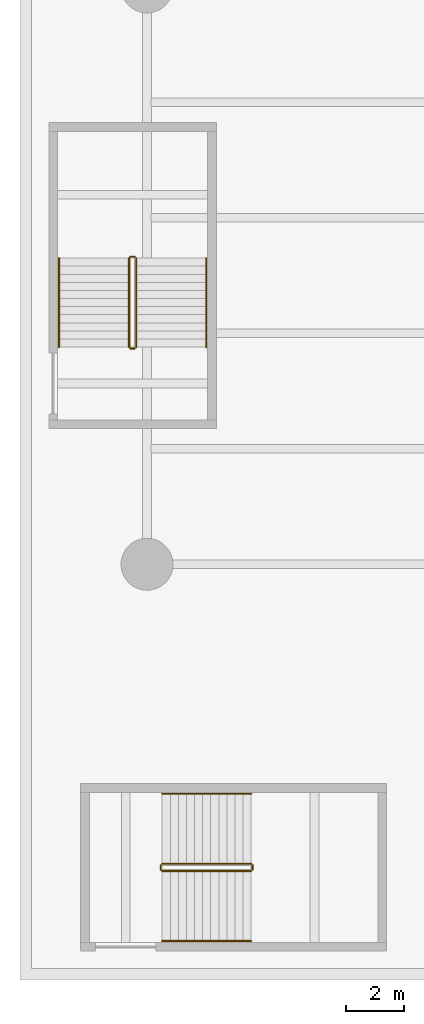
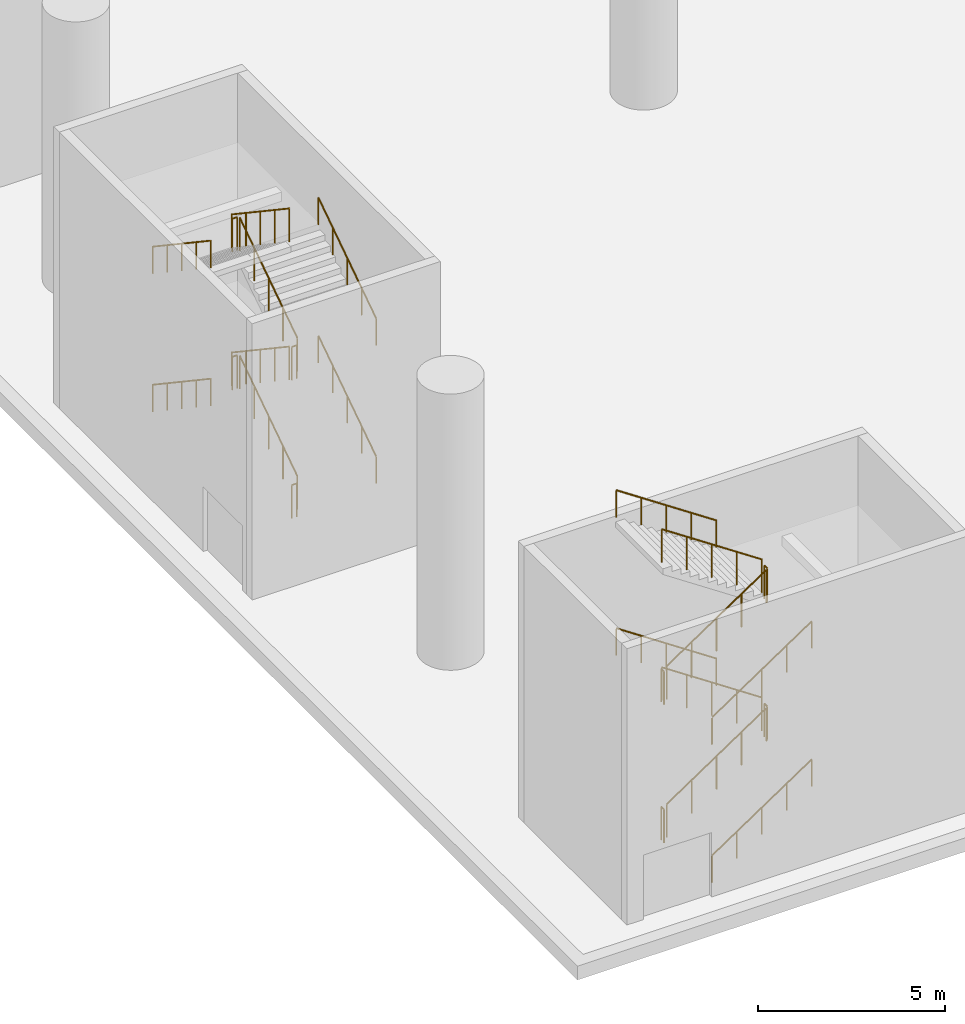
# One storey, part 27 of 37: 24 railings.
"""IFC4 building model written with IfcOpenShell, lengths in metres."""

from ifc_helpers import new_model, si_unit, direction, frame, origin, origin_2d, place, context, subcontext, project, spatial, circle, extrude, material, type_object, element, save


model = new_model("IFC4")

# Units and contexts
model_context = context("Model", 3, precision=1e-05, world=origin(), true_north=direction((0.0, 1.0)))
body_context = subcontext(model_context, "Body", "Model", "MODEL_VIEW")
ifc_project = project(units=[si_unit("LENGTHUNIT", "METRE"), si_unit("AREAUNIT", "SQUARE_METRE"), si_unit("VOLUMEUNIT", "CUBIC_METRE"), si_unit("PLANEANGLEUNIT", "RADIAN"), si_unit("MASSUNIT", "GRAM", prefix="KILO")], contexts=[model_context])

# Site, building, storey
site_placement = place(None, origin())
site = spatial("IfcSite", under=ifc_project, at=site_placement, CompositionType="ELEMENT")
building_placement = place(site_placement, origin())
building = spatial("IfcBuilding", under=site, at=building_placement, Name="Tel Ilan Convention Tower", CompositionType="ELEMENT")
storey_placement = place(building_placement, origin())
storey = spatial("IfcBuildingStorey", under=building, at=storey_placement, Name="L00", CompositionType="ELEMENT", Elevation=0.0)

# Railings
ifc_material_1 = material(Name="Stainless Steel Grade 316", Category="steel")
railing_type_1 = type_object("IfcRailingType", Name="Stainless Steel Stair Guard 1100 mm", PredefinedType="GUARDRAIL", material=ifc_material_1)
railing_1_placement = place(storey_placement, frame((-45.47509765625, -78.625, 0.1875)))
element("IfcRailing", 1, at=railing_1_placement, inside=storey, type_object=railing_type_1, Name="L00 P1 stair guard 1", PredefinedType="GUARDRAIL", context=body_context, shape_type="SweptSolid", body=[
    extrude(circle(Radius=0.02392578125, at=origin_2d()), frame((0.0, 0.0, 1.076171875), z_axis=(0.830913701846, 0.0, 0.55640131208), x_axis=(0.0, 1.0, 0.0)), (0.0, 0.0, 1.0), 3.706787109375),
    extrude(circle(Radius=0.02099609375, at=origin_2d()), origin(), (0.0, 0.0, 1.0), 1.052001953125),
    extrude(circle(Radius=0.02099609375, at=origin_2d()), frame((0.77001953125, 0.0, 0.515625)), (0.0, 0.0, 1.0), 1.052001953125),
    extrude(circle(Radius=0.02099609375, at=origin_2d()), frame((1.5400390625, 0.0, 1.03125)), (0.0, 0.0, 1.0), 1.052001953125),
    extrude(circle(Radius=0.02099609375, at=origin_2d()), frame((2.31005859375, 0.0, 1.546875)), (0.0, 0.0, 1.0), 1.052001953125),
    extrude(circle(Radius=0.02099609375, at=origin_2d()), frame((3.080078125, 0.0, 2.0625)), (0.0, 0.0, 1.0), 1.052001953125),
])
railing_2_placement = place(storey_placement, frame((-42.344970703125, -78.574951171875, 2.25)))
element("IfcRailing", 2, at=railing_2_placement, inside=storey, type_object=railing_type_1, Name="L00 P1 stair guard 2", PredefinedType="GUARDRAIL", context=body_context, shape_type="SweptSolid", body=[
    extrude(circle(Radius=0.02392578125, at=origin_2d()), frame((0.0, 0.0, 1.076171875), z_axis=(0.0, 1.0, 0.0), x_axis=(-1.0, 0.0, 0.0)), (0.0, 0.0, 1.0), 0.14990234375),
    extrude(circle(Radius=0.02099609375, at=origin_2d()), origin(), (0.0, 0.0, 1.0), 1.052001953125),
    extrude(circle(Radius=0.02099609375, at=origin_2d()), frame((0.0, 0.14990234375, 0.0)), (0.0, 0.0, 1.0), 1.052001953125),
])
railing_3_placement = place(storey_placement, frame((-42.39501953125, -78.375, 2.4375)))
element("IfcRailing", 3, at=railing_3_placement, inside=storey, type_object=railing_type_1, Name="L00 P1 stair guard 3", PredefinedType="GUARDRAIL", context=body_context, shape_type="SweptSolid", body=[
    extrude(circle(Radius=0.02392578125, at=origin_2d()), frame((0.0, 0.0, 1.076171875), z_axis=(-0.830913701846, 0.0, 0.55640131208), x_axis=(0.0, -1.0, 0.0)), (0.0, 0.0, 1.0), 3.706787109375),
    extrude(circle(Radius=0.02099609375, at=origin_2d()), origin(), (0.0, 0.0, 1.0), 1.052001953125),
    extrude(circle(Radius=0.02099609375, at=origin_2d()), frame((-0.77001953125, 0.0, 0.515625)), (0.0, 0.0, 1.0), 1.052001953125),
    extrude(circle(Radius=0.02099609375, at=origin_2d()), frame((-1.5400390625, 0.0, 1.03125)), (0.0, 0.0, 1.0), 1.052001953125),
    extrude(circle(Radius=0.02099609375, at=origin_2d()), frame((-2.31005859375, 0.0, 1.546875)), (0.0, 0.0, 1.0), 1.052001953125),
    extrude(circle(Radius=0.02099609375, at=origin_2d()), frame((-3.080078125, 0.0, 2.0625)), (0.0, 0.0, 1.0), 1.052001953125),
])
railing_4_placement = place(storey_placement, frame((-45.52490234375, -78.574951171875, 4.5)))
element("IfcRailing", 4, at=railing_4_placement, inside=storey, type_object=railing_type_1, Name="L00 P1 stair guard 4", PredefinedType="GUARDRAIL", context=body_context, shape_type="SweptSolid", body=[
    extrude(circle(Radius=0.02392578125, at=origin_2d()), frame((0.0, 0.0, 1.076171875), z_axis=(0.0, 1.0, 0.0), x_axis=(-1.0, 0.0, 0.0)), (0.0, 0.0, 1.0), 0.14990234375),
    extrude(circle(Radius=0.02099609375, at=origin_2d()), origin(), (0.0, 0.0, 1.0), 1.052001953125),
    extrude(circle(Radius=0.02099609375, at=origin_2d()), frame((0.0, 0.14990234375, 0.0)), (0.0, 0.0, 1.0), 1.052001953125),
])
railing_5_placement = place(storey_placement, frame((-45.47509765625, -78.625, 4.6875)))
element("IfcRailing", 5, at=railing_5_placement, inside=storey, type_object=railing_type_1, Name="L00 P1 stair guard 5", PredefinedType="GUARDRAIL", context=body_context, shape_type="SweptSolid", body=[
    extrude(circle(Radius=0.02392578125, at=origin_2d()), frame((0.0, 0.0, 1.076171875), z_axis=(0.830913701846, 0.0, 0.55640131208), x_axis=(0.0, 1.0, 0.0)), (0.0, 0.0, 1.0), 3.706787109375),
    extrude(circle(Radius=0.02099609375, at=origin_2d()), origin(), (0.0, 0.0, 1.0), 1.052001953125),
    extrude(circle(Radius=0.02099609375, at=origin_2d()), frame((0.77001953125, 0.0, 0.515625)), (0.0, 0.0, 1.0), 1.052001953125),
    extrude(circle(Radius=0.02099609375, at=origin_2d()), frame((1.5400390625, 0.0, 1.03125)), (0.0, 0.0, 1.0), 1.052001953125),
    extrude(circle(Radius=0.02099609375, at=origin_2d()), frame((2.31005859375, 0.0, 1.546875)), (0.0, 0.0, 1.0), 1.052001953125),
    extrude(circle(Radius=0.02099609375, at=origin_2d()), frame((3.080078125, 0.0, 2.0625)), (0.0, 0.0, 1.0), 1.052001953125),
])
railing_6_placement = place(storey_placement, frame((-42.344970703125, -78.574951171875, 6.75)))
element("IfcRailing", 6, at=railing_6_placement, inside=storey, type_object=railing_type_1, Name="L00 P1 stair guard 6", PredefinedType="GUARDRAIL", context=body_context, shape_type="SweptSolid", body=[
    extrude(circle(Radius=0.02392578125, at=origin_2d()), frame((0.0, 0.0, 1.076171875), z_axis=(0.0, 1.0, 0.0), x_axis=(-1.0, 0.0, 0.0)), (0.0, 0.0, 1.0), 0.14990234375),
    extrude(circle(Radius=0.02099609375, at=origin_2d()), origin(), (0.0, 0.0, 1.0), 1.052001953125),
    extrude(circle(Radius=0.02099609375, at=origin_2d()), frame((0.0, 0.14990234375, 0.0)), (0.0, 0.0, 1.0), 1.052001953125),
])
railing_7_placement = place(storey_placement, frame((-42.39501953125, -78.375, 6.9375)))
element("IfcRailing", 7, at=railing_7_placement, inside=storey, type_object=railing_type_1, Name="L00 P1 stair guard 7", PredefinedType="GUARDRAIL", context=body_context, shape_type="SweptSolid", body=[
    extrude(circle(Radius=0.02392578125, at=origin_2d()), frame((0.0, 0.0, 1.076171875), z_axis=(-0.830913701846, 0.0, 0.55640131208), x_axis=(0.0, -1.0, 0.0)), (0.0, 0.0, 1.0), 3.706787109375),
    extrude(circle(Radius=0.02099609375, at=origin_2d()), origin(), (0.0, 0.0, 1.0), 1.052001953125),
    extrude(circle(Radius=0.02099609375, at=origin_2d()), frame((-0.77001953125, 0.0, 0.515625)), (0.0, 0.0, 1.0), 1.052001953125),
    extrude(circle(Radius=0.02099609375, at=origin_2d()), frame((-1.5400390625, 0.0, 1.03125)), (0.0, 0.0, 1.0), 1.052001953125),
    extrude(circle(Radius=0.02099609375, at=origin_2d()), frame((-2.31005859375, 0.0, 1.546875)), (0.0, 0.0, 1.0), 1.052001953125),
    extrude(circle(Radius=0.02099609375, at=origin_2d()), frame((-3.080078125, 0.0, 2.0625)), (0.0, 0.0, 1.0), 1.052001953125),
])
railing_8_placement = place(storey_placement, frame((-45.52490234375, -78.574951171875, 0.0)))
element("IfcRailing", 8, at=railing_8_placement, inside=storey, type_object=railing_type_1, Name="L00 P1 stair guard 8", PredefinedType="GUARDRAIL", context=body_context, shape_type="SweptSolid", body=[
    extrude(circle(Radius=0.02392578125, at=origin_2d()), frame((0.0, 0.0, 1.076171875), z_axis=(0.0, 1.0, 0.0), x_axis=(-1.0, 0.0, 0.0)), (0.0, 0.0, 1.0), 0.14990234375),
    extrude(circle(Radius=0.02099609375, at=origin_2d()), origin(), (0.0, 0.0, 1.0), 1.052001953125),
    extrude(circle(Radius=0.02099609375, at=origin_2d()), frame((0.0, 0.14990234375, 0.0)), (0.0, 0.0, 1.0), 1.052001953125),
])
railing_9_placement = place(storey_placement, frame((-46.375, -60.47509765625, 0.1875)))
element("IfcRailing", 9, at=railing_9_placement, inside=storey, type_object=railing_type_1, Name="L00 P5 stair guard 1", PredefinedType="GUARDRAIL", context=body_context, shape_type="SweptSolid", body=[
    extrude(circle(Radius=0.02392578125, at=origin_2d()), frame((0.0, 0.0, 1.076171875), z_axis=(0.0, 0.830913701846, 0.55640131208), x_axis=(-1.0, 0.0, 0.0)), (0.0, 0.0, 1.0), 3.706787109375),
    extrude(circle(Radius=0.02099609375, at=origin_2d()), origin(), (0.0, 0.0, 1.0), 1.052001953125),
    extrude(circle(Radius=0.02099609375, at=origin_2d()), frame((0.0, 0.77001953125, 0.515625)), (0.0, 0.0, 1.0), 1.052001953125),
    extrude(circle(Radius=0.02099609375, at=origin_2d()), frame((0.0, 1.5400390625, 1.03125)), (0.0, 0.0, 1.0), 1.052001953125),
    extrude(circle(Radius=0.02099609375, at=origin_2d()), frame((0.0, 2.31005859375, 1.546875)), (0.0, 0.0, 1.0), 1.052001953125),
    extrude(circle(Radius=0.02099609375, at=origin_2d()), frame((0.0, 3.080078125, 2.0625)), (0.0, 0.0, 1.0), 1.052001953125),
])
railing_10_placement = place(storey_placement, frame((-46.425048828125, -57.344970703125, 2.25)))
element("IfcRailing", 10, at=railing_10_placement, inside=storey, type_object=railing_type_1, Name="L00 P5 stair guard 2", PredefinedType="GUARDRAIL", context=body_context, shape_type="SweptSolid", body=[
    extrude(circle(Radius=0.02392578125, at=origin_2d()), frame((0.0, 0.0, 1.076171875), z_axis=(-1.0, 0.0, 0.0), x_axis=(0.0, -1.0, 0.0)), (0.0, 0.0, 1.0), 0.14990234375),
    extrude(circle(Radius=0.02099609375, at=origin_2d()), origin(), (0.0, 0.0, 1.0), 1.052001953125),
    extrude(circle(Radius=0.02099609375, at=origin_2d()), frame((-0.14990234375, 0.0, 0.0)), (0.0, 0.0, 1.0), 1.052001953125),
])
railing_11_placement = place(storey_placement, frame((-46.625, -57.39501953125, 2.4375)))
element("IfcRailing", 11, at=railing_11_placement, inside=storey, type_object=railing_type_1, Name="L00 P5 stair guard 3", PredefinedType="GUARDRAIL", context=body_context, shape_type="SweptSolid", body=[
    extrude(circle(Radius=0.02392578125, at=origin_2d()), frame((0.0, 0.0, 1.076171875), z_axis=(0.0, -0.830913701846, 0.55640131208), x_axis=(1.0, 0.0, 0.0)), (0.0, 0.0, 1.0), 3.706787109375),
    extrude(circle(Radius=0.02099609375, at=origin_2d()), origin(), (0.0, 0.0, 1.0), 1.052001953125),
    extrude(circle(Radius=0.02099609375, at=origin_2d()), frame((0.0, -0.77001953125, 0.515625)), (0.0, 0.0, 1.0), 1.052001953125),
    extrude(circle(Radius=0.02099609375, at=origin_2d()), frame((0.0, -1.5400390625, 1.03125)), (0.0, 0.0, 1.0), 1.052001953125),
    extrude(circle(Radius=0.02099609375, at=origin_2d()), frame((0.0, -2.31005859375, 1.546875)), (0.0, 0.0, 1.0), 1.052001953125),
    extrude(circle(Radius=0.02099609375, at=origin_2d()), frame((0.0, -3.080078125, 2.0625)), (0.0, 0.0, 1.0), 1.052001953125),
])
railing_12_placement = place(storey_placement, frame((-46.425048828125, -60.52490234375, 4.5)))
element("IfcRailing", 12, at=railing_12_placement, inside=storey, type_object=railing_type_1, Name="L00 P5 stair guard 4", PredefinedType="GUARDRAIL", context=body_context, shape_type="SweptSolid", body=[
    extrude(circle(Radius=0.02392578125, at=origin_2d()), frame((0.0, 0.0, 1.076171875), z_axis=(-1.0, 0.0, 0.0), x_axis=(0.0, -1.0, 0.0)), (0.0, 0.0, 1.0), 0.14990234375),
    extrude(circle(Radius=0.02099609375, at=origin_2d()), origin(), (0.0, 0.0, 1.0), 1.052001953125),
    extrude(circle(Radius=0.02099609375, at=origin_2d()), frame((-0.14990234375, 0.0, 0.0)), (0.0, 0.0, 1.0), 1.052001953125),
])
railing_13_placement = place(storey_placement, frame((-46.375, -60.47509765625, 4.6875)))
element("IfcRailing", 13, at=railing_13_placement, inside=storey, type_object=railing_type_1, Name="L00 P5 stair guard 5", PredefinedType="GUARDRAIL", context=body_context, shape_type="SweptSolid", body=[
    extrude(circle(Radius=0.02392578125, at=origin_2d()), frame((0.0, 0.0, 1.076171875), z_axis=(0.0, 0.830913701846, 0.55640131208), x_axis=(-1.0, 0.0, 0.0)), (0.0, 0.0, 1.0), 3.706787109375),
    extrude(circle(Radius=0.02099609375, at=origin_2d()), origin(), (0.0, 0.0, 1.0), 1.052001953125),
    extrude(circle(Radius=0.02099609375, at=origin_2d()), frame((0.0, 0.77001953125, 0.515625)), (0.0, 0.0, 1.0), 1.052001953125),
    extrude(circle(Radius=0.02099609375, at=origin_2d()), frame((0.0, 1.5400390625, 1.03125)), (0.0, 0.0, 1.0), 1.052001953125),
    extrude(circle(Radius=0.02099609375, at=origin_2d()), frame((0.0, 2.31005859375, 1.546875)), (0.0, 0.0, 1.0), 1.052001953125),
    extrude(circle(Radius=0.02099609375, at=origin_2d()), frame((0.0, 3.080078125, 2.0625)), (0.0, 0.0, 1.0), 1.052001953125),
])
railing_14_placement = place(storey_placement, frame((-46.425048828125, -57.344970703125, 6.75)))
element("IfcRailing", 14, at=railing_14_placement, inside=storey, type_object=railing_type_1, Name="L00 P5 stair guard 6", PredefinedType="GUARDRAIL", context=body_context, shape_type="SweptSolid", body=[
    extrude(circle(Radius=0.02392578125, at=origin_2d()), frame((0.0, 0.0, 1.076171875), z_axis=(-1.0, 0.0, 0.0), x_axis=(0.0, -1.0, 0.0)), (0.0, 0.0, 1.0), 0.14990234375),
    extrude(circle(Radius=0.02099609375, at=origin_2d()), origin(), (0.0, 0.0, 1.0), 1.052001953125),
    extrude(circle(Radius=0.02099609375, at=origin_2d()), frame((-0.14990234375, 0.0, 0.0)), (0.0, 0.0, 1.0), 1.052001953125),
])
railing_15_placement = place(storey_placement, frame((-46.625, -57.39501953125, 6.9375)))
element("IfcRailing", 15, at=railing_15_placement, inside=storey, type_object=railing_type_1, Name="L00 P5 stair guard 7", PredefinedType="GUARDRAIL", context=body_context, shape_type="SweptSolid", body=[
    extrude(circle(Radius=0.02392578125, at=origin_2d()), frame((0.0, 0.0, 1.076171875), z_axis=(0.0, -0.830913701846, 0.55640131208), x_axis=(1.0, 0.0, 0.0)), (0.0, 0.0, 1.0), 3.706787109375),
    extrude(circle(Radius=0.02099609375, at=origin_2d()), origin(), (0.0, 0.0, 1.0), 1.052001953125),
    extrude(circle(Radius=0.02099609375, at=origin_2d()), frame((0.0, -0.77001953125, 0.515625)), (0.0, 0.0, 1.0), 1.052001953125),
    extrude(circle(Radius=0.02099609375, at=origin_2d()), frame((0.0, -1.5400390625, 1.03125)), (0.0, 0.0, 1.0), 1.052001953125),
    extrude(circle(Radius=0.02099609375, at=origin_2d()), frame((0.0, -2.31005859375, 1.546875)), (0.0, 0.0, 1.0), 1.052001953125),
    extrude(circle(Radius=0.02099609375, at=origin_2d()), frame((0.0, -3.080078125, 2.0625)), (0.0, 0.0, 1.0), 1.052001953125),
])
railing_16_placement = place(storey_placement, frame((-46.425048828125, -60.52490234375, 0.0)))
element("IfcRailing", 16, at=railing_16_placement, inside=storey, type_object=railing_type_1, Name="L00 P5 stair guard 8", PredefinedType="GUARDRAIL", context=body_context, shape_type="SweptSolid", body=[
    extrude(circle(Radius=0.02392578125, at=origin_2d()), frame((0.0, 0.0, 1.076171875), z_axis=(-1.0, 0.0, 0.0), x_axis=(0.0, -1.0, 0.0)), (0.0, 0.0, 1.0), 0.14990234375),
    extrude(circle(Radius=0.02099609375, at=origin_2d()), origin(), (0.0, 0.0, 1.0), 1.052001953125),
    extrude(circle(Radius=0.02099609375, at=origin_2d()), frame((-0.14990234375, 0.0, 0.0)), (0.0, 0.0, 1.0), 1.052001953125),
])
ifc_material_2 = material(Name="Stainless Steel Grade 316", Category="steel")
railing_type_2 = type_object("IfcRailingType", Name="Stainless Steel Stair Handrail 900 mm", PredefinedType="HANDRAIL", material=ifc_material_2)
railing_17_placement = place(storey_placement, frame((-45.47509765625, -81.050048828125, 0.1875)))
element("IfcRailing", 17, at=railing_17_placement, inside=storey, type_object=railing_type_2, Name="L00 P1 stair handrail 1", PredefinedType="HANDRAIL", context=body_context, shape_type="SweptSolid", body=[
    extrude(circle(Radius=0.02392578125, at=origin_2d()), frame((0.0, 0.0, 0.8759765625), z_axis=(0.830913701846, 0.0, 0.55640131208), x_axis=(0.0, 1.0, 0.0)), (0.0, 0.0, 1.0), 3.706787109375),
    extrude(circle(Radius=0.02099609375, at=origin_2d()), origin(), (0.0, 0.0, 1.0), 0.851806640625),
    extrude(circle(Radius=0.02099609375, at=origin_2d()), frame((0.77001953125, 0.0, 0.515625)), (0.0, 0.0, 1.0), 0.851806640625),
    extrude(circle(Radius=0.02099609375, at=origin_2d()), frame((1.5400390625, 0.0, 1.03125)), (0.0, 0.0, 1.0), 0.851806640625),
    extrude(circle(Radius=0.02099609375, at=origin_2d()), frame((2.31005859375, 0.0, 1.546875)), (0.0, 0.0, 1.0), 0.851806640625),
    extrude(circle(Radius=0.02099609375, at=origin_2d()), frame((3.080078125, 0.0, 2.0625)), (0.0, 0.0, 1.0), 0.851806640625),
])
railing_18_placement = place(storey_placement, frame((-42.39501953125, -75.949951171875, 2.4375)))
element("IfcRailing", 18, at=railing_18_placement, inside=storey, type_object=railing_type_2, Name="L00 P1 stair handrail 2", PredefinedType="HANDRAIL", context=body_context, shape_type="SweptSolid", body=[
    extrude(circle(Radius=0.02392578125, at=origin_2d()), frame((0.0, 0.0, 0.8759765625), z_axis=(-0.830913701846, 0.0, 0.55640131208), x_axis=(0.0, -1.0, 0.0)), (0.0, 0.0, 1.0), 3.706787109375),
    extrude(circle(Radius=0.02099609375, at=origin_2d()), origin(), (0.0, 0.0, 1.0), 0.851806640625),
    extrude(circle(Radius=0.02099609375, at=origin_2d()), frame((-0.77001953125, 0.0, 0.515625)), (0.0, 0.0, 1.0), 0.851806640625),
    extrude(circle(Radius=0.02099609375, at=origin_2d()), frame((-1.5400390625, 0.0, 1.03125)), (0.0, 0.0, 1.0), 0.851806640625),
    extrude(circle(Radius=0.02099609375, at=origin_2d()), frame((-2.31005859375, 0.0, 1.546875)), (0.0, 0.0, 1.0), 0.851806640625),
    extrude(circle(Radius=0.02099609375, at=origin_2d()), frame((-3.080078125, 0.0, 2.0625)), (0.0, 0.0, 1.0), 0.851806640625),
])
railing_19_placement = place(storey_placement, frame((-45.47509765625, -81.050048828125, 4.6875)))
element("IfcRailing", 19, at=railing_19_placement, inside=storey, type_object=railing_type_2, Name="L00 P1 stair handrail 3", PredefinedType="HANDRAIL", context=body_context, shape_type="SweptSolid", body=[
    extrude(circle(Radius=0.02392578125, at=origin_2d()), frame((0.0, 0.0, 0.8759765625), z_axis=(0.830913701846, 0.0, 0.55640131208), x_axis=(0.0, 1.0, 0.0)), (0.0, 0.0, 1.0), 3.706787109375),
    extrude(circle(Radius=0.02099609375, at=origin_2d()), origin(), (0.0, 0.0, 1.0), 0.851806640625),
    extrude(circle(Radius=0.02099609375, at=origin_2d()), frame((0.77001953125, 0.0, 0.515625)), (0.0, 0.0, 1.0), 0.851806640625),
    extrude(circle(Radius=0.02099609375, at=origin_2d()), frame((1.5400390625, 0.0, 1.03125)), (0.0, 0.0, 1.0), 0.851806640625),
    extrude(circle(Radius=0.02099609375, at=origin_2d()), frame((2.31005859375, 0.0, 1.546875)), (0.0, 0.0, 1.0), 0.851806640625),
    extrude(circle(Radius=0.02099609375, at=origin_2d()), frame((3.080078125, 0.0, 2.0625)), (0.0, 0.0, 1.0), 0.851806640625),
])
railing_20_placement = place(storey_placement, frame((-42.39501953125, -75.949951171875, 6.9375)))
element("IfcRailing", 20, at=railing_20_placement, inside=storey, type_object=railing_type_2, Name="L00 P1 stair handrail 4", PredefinedType="HANDRAIL", context=body_context, shape_type="SweptSolid", body=[
    extrude(circle(Radius=0.02392578125, at=origin_2d()), frame((0.0, 0.0, 0.8759765625), z_axis=(-0.830913701846, 0.0, 0.55640131208), x_axis=(0.0, -1.0, 0.0)), (0.0, 0.0, 1.0), 3.706787109375),
    extrude(circle(Radius=0.02099609375, at=origin_2d()), origin(), (0.0, 0.0, 1.0), 0.851806640625),
    extrude(circle(Radius=0.02099609375, at=origin_2d()), frame((-0.77001953125, 0.0, 0.515625)), (0.0, 0.0, 1.0), 0.851806640625),
    extrude(circle(Radius=0.02099609375, at=origin_2d()), frame((-1.5400390625, 0.0, 1.03125)), (0.0, 0.0, 1.0), 0.851806640625),
    extrude(circle(Radius=0.02099609375, at=origin_2d()), frame((-2.31005859375, 0.0, 1.546875)), (0.0, 0.0, 1.0), 0.851806640625),
    extrude(circle(Radius=0.02099609375, at=origin_2d()), frame((-3.080078125, 0.0, 2.0625)), (0.0, 0.0, 1.0), 0.851806640625),
])
railing_21_placement = place(storey_placement, frame((-43.949951171875, -60.47509765625, 0.1875)))
element("IfcRailing", 21, at=railing_21_placement, inside=storey, type_object=railing_type_2, Name="L00 P5 stair handrail 1", PredefinedType="HANDRAIL", context=body_context, shape_type="SweptSolid", body=[
    extrude(circle(Radius=0.02392578125, at=origin_2d()), frame((0.0, 0.0, 0.8759765625), z_axis=(0.0, 0.830913701846, 0.55640131208), x_axis=(-1.0, 0.0, 0.0)), (0.0, 0.0, 1.0), 3.706787109375),
    extrude(circle(Radius=0.02099609375, at=origin_2d()), origin(), (0.0, 0.0, 1.0), 0.851806640625),
    extrude(circle(Radius=0.02099609375, at=origin_2d()), frame((0.0, 0.77001953125, 0.515625)), (0.0, 0.0, 1.0), 0.851806640625),
    extrude(circle(Radius=0.02099609375, at=origin_2d()), frame((0.0, 1.5400390625, 1.03125)), (0.0, 0.0, 1.0), 0.851806640625),
    extrude(circle(Radius=0.02099609375, at=origin_2d()), frame((0.0, 2.31005859375, 1.546875)), (0.0, 0.0, 1.0), 0.851806640625),
    extrude(circle(Radius=0.02099609375, at=origin_2d()), frame((0.0, 3.080078125, 2.0625)), (0.0, 0.0, 1.0), 0.851806640625),
])
railing_22_placement = place(storey_placement, frame((-49.050048828125, -57.39501953125, 2.4375)))
element("IfcRailing", 22, at=railing_22_placement, inside=storey, type_object=railing_type_2, Name="L00 P5 stair handrail 2", PredefinedType="HANDRAIL", context=body_context, shape_type="SweptSolid", body=[
    extrude(circle(Radius=0.02392578125, at=origin_2d()), frame((0.0, 0.0, 0.8759765625), z_axis=(0.0, -0.830913701846, 0.55640131208), x_axis=(1.0, 0.0, 0.0)), (0.0, 0.0, 1.0), 3.706787109375),
    extrude(circle(Radius=0.02099609375, at=origin_2d()), origin(), (0.0, 0.0, 1.0), 0.851806640625),
    extrude(circle(Radius=0.02099609375, at=origin_2d()), frame((0.0, -0.77001953125, 0.515625)), (0.0, 0.0, 1.0), 0.851806640625),
    extrude(circle(Radius=0.02099609375, at=origin_2d()), frame((0.0, -1.5400390625, 1.03125)), (0.0, 0.0, 1.0), 0.851806640625),
    extrude(circle(Radius=0.02099609375, at=origin_2d()), frame((0.0, -2.31005859375, 1.546875)), (0.0, 0.0, 1.0), 0.851806640625),
    extrude(circle(Radius=0.02099609375, at=origin_2d()), frame((0.0, -3.080078125, 2.0625)), (0.0, 0.0, 1.0), 0.851806640625),
])
railing_23_placement = place(storey_placement, frame((-43.949951171875, -60.47509765625, 4.6875)))
element("IfcRailing", 23, at=railing_23_placement, inside=storey, type_object=railing_type_2, Name="L00 P5 stair handrail 3", PredefinedType="HANDRAIL", context=body_context, shape_type="SweptSolid", body=[
    extrude(circle(Radius=0.02392578125, at=origin_2d()), frame((0.0, 0.0, 0.8759765625), z_axis=(0.0, 0.830913701846, 0.55640131208), x_axis=(-1.0, 0.0, 0.0)), (0.0, 0.0, 1.0), 3.706787109375),
    extrude(circle(Radius=0.02099609375, at=origin_2d()), origin(), (0.0, 0.0, 1.0), 0.851806640625),
    extrude(circle(Radius=0.02099609375, at=origin_2d()), frame((0.0, 0.77001953125, 0.515625)), (0.0, 0.0, 1.0), 0.851806640625),
    extrude(circle(Radius=0.02099609375, at=origin_2d()), frame((0.0, 1.5400390625, 1.03125)), (0.0, 0.0, 1.0), 0.851806640625),
    extrude(circle(Radius=0.02099609375, at=origin_2d()), frame((0.0, 2.31005859375, 1.546875)), (0.0, 0.0, 1.0), 0.851806640625),
    extrude(circle(Radius=0.02099609375, at=origin_2d()), frame((0.0, 3.080078125, 2.0625)), (0.0, 0.0, 1.0), 0.851806640625),
])
railing_24_placement = place(storey_placement, frame((-49.050048828125, -57.39501953125, 6.9375)))
element("IfcRailing", 24, at=railing_24_placement, inside=storey, type_object=railing_type_2, Name="L00 P5 stair handrail 4", PredefinedType="HANDRAIL", context=body_context, shape_type="SweptSolid", body=[
    extrude(circle(Radius=0.02392578125, at=origin_2d()), frame((0.0, 0.0, 0.8759765625), z_axis=(0.0, -0.830913701846, 0.55640131208), x_axis=(1.0, 0.0, 0.0)), (0.0, 0.0, 1.0), 3.706787109375),
    extrude(circle(Radius=0.02099609375, at=origin_2d()), origin(), (0.0, 0.0, 1.0), 0.851806640625),
    extrude(circle(Radius=0.02099609375, at=origin_2d()), frame((0.0, -0.77001953125, 0.515625)), (0.0, 0.0, 1.0), 0.851806640625),
    extrude(circle(Radius=0.02099609375, at=origin_2d()), frame((0.0, -1.5400390625, 1.03125)), (0.0, 0.0, 1.0), 0.851806640625),
    extrude(circle(Radius=0.02099609375, at=origin_2d()), frame((0.0, -2.31005859375, 1.546875)), (0.0, 0.0, 1.0), 0.851806640625),
    extrude(circle(Radius=0.02099609375, at=origin_2d()), frame((0.0, -3.080078125, 2.0625)), (0.0, 0.0, 1.0), 0.851806640625),
])

save(model, "model.ifc")
